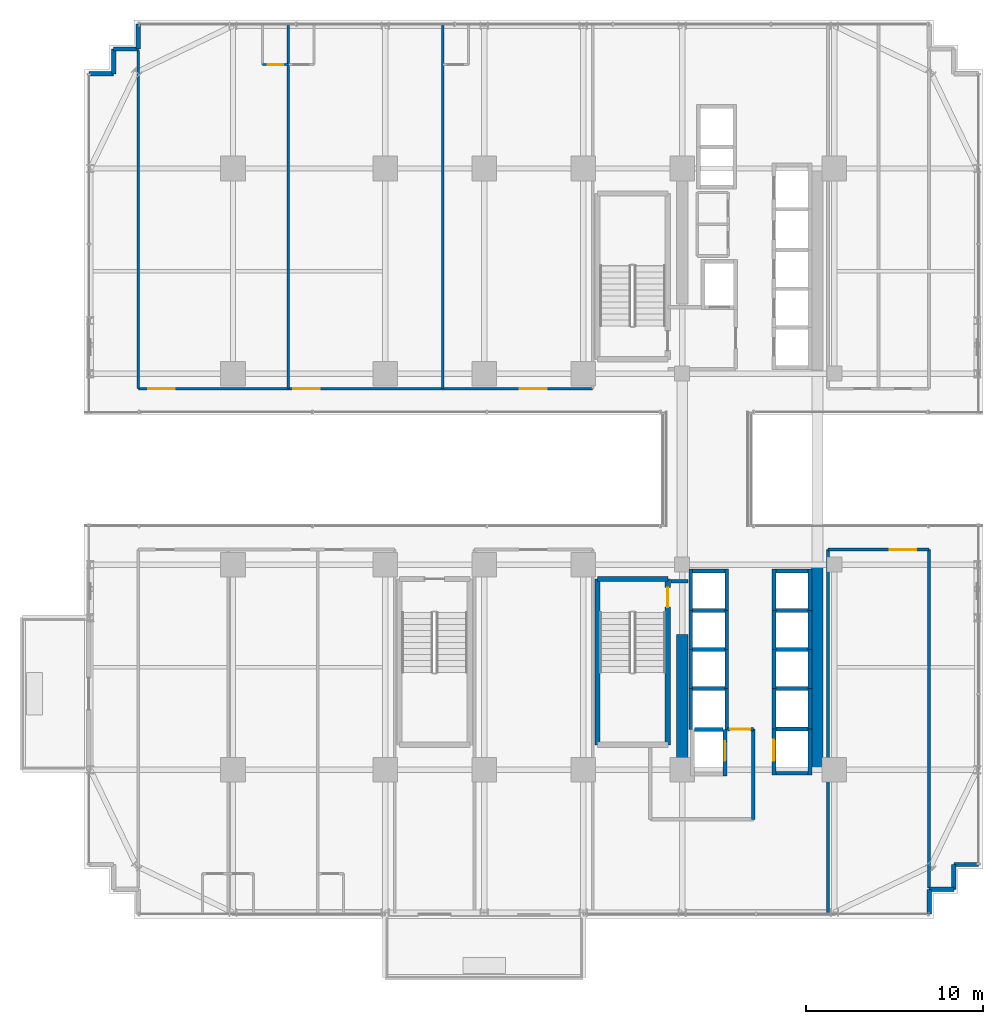
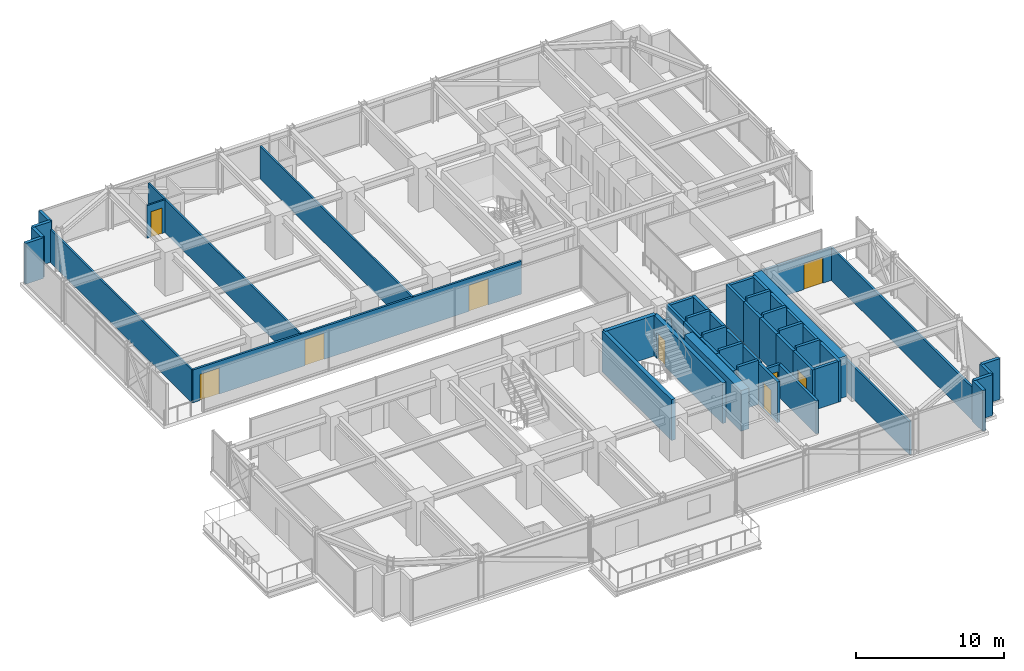
# One storey, part 32 of 38: 54 walls, 9 doors, 9 openings.
"""IFC4 building model written with IfcOpenShell, lengths in metres."""

from ifc_helpers import new_model, si_unit, direction, frame, frame_2d, origin, place, context, subcontext, project, spatial, rectangle, extrude, source, transform, mapped, material, layer, layer_set, type_object, element, fill, save


model = new_model("IFC4")

# Units and contexts
model_context = context("Model", 3, precision=1e-05, world=origin(), true_north=direction((0.0, 1.0)))
body_context = subcontext(model_context, "Body", "Model", "MODEL_VIEW")
ifc_project = project(units=[si_unit("LENGTHUNIT", "METRE"), si_unit("AREAUNIT", "SQUARE_METRE"), si_unit("VOLUMEUNIT", "CUBIC_METRE"), si_unit("PLANEANGLEUNIT", "RADIAN"), si_unit("MASSUNIT", "GRAM", prefix="KILO")], contexts=[model_context])

# Site, building, storey
site_placement = place(None, origin())
site = spatial("IfcSite", under=ifc_project, at=site_placement, CompositionType="ELEMENT")
building_placement = place(site_placement, origin())
building = spatial("IfcBuilding", under=site, at=building_placement, Name="Nahalor Promenade Grand Hotel", CompositionType="ELEMENT")
storey_placement = place(building_placement, frame((0.0, 0.0, 50.64990234375)))
storey = spatial("IfcBuildingStorey", under=building, at=storey_placement, Name="L11", CompositionType="ELEMENT", Elevation=50.64990234375)

# Walls
ifc_material_1 = material(Name="Concrete B-60 (C50/60)", Category="concrete")
ifc_layer_1 = layer(ifc_material_1, 0.64990234375)
ifc_layer_set_1 = layer_set([ifc_layer_1], Name="Concrete B-60 (C50/60)")
wall_type_1 = type_object("IfcWallType", Name="Wall-CoreShear-650", PredefinedType="SHEAR", material=ifc_layer_set_1)
shared_shape_1 = source(origin(), body_context, "Body", "SweptSolid", [
    extrude(rectangle(XDim=7.64990234375, YDim=0.64990234375, at=frame_2d((3.824951171875, 0.0))), origin(), (0.0, 0.0, 1.0), 3.3701171875),
])
wall_1_placement = place(storey_placement, frame((8.39990234375, -17.0, 0.0), z_axis=(0.0, 0.0, 1.0), x_axis=(0.0, 1.0, 0.0)))
element("IfcWall", 1, at=wall_1_placement, inside=storey, type_object=wall_type_1, Name="CWALL-L11-SW", PredefinedType="SHEAR", context=body_context, shape_type="MappedRepresentation", body=[
    mapped(shared_shape_1, transform((0.0, 0.0, 0.0), scale=1.0)),
])
shared_shape_2 = source(origin(), body_context, "Body", "SweptSolid", [
    extrude(rectangle(XDim=11.60009765625, YDim=0.64990234375, at=frame_2d((5.800048828125, 0.0))), origin(), (0.0, 0.0, 1.0), 3.3701171875),
])
wall_2_placement = place(storey_placement, frame((16.050048828125, -17.0, 0.0), z_axis=(0.0, 0.0, 1.0), x_axis=(0.0, 1.0, 0.0)))
element("IfcWall", 2, at=wall_2_placement, inside=storey, type_object=wall_type_1, Name="CWALL-L11-SE", PredefinedType="SHEAR", context=body_context, shape_type="MappedRepresentation", body=[
    mapped(shared_shape_2, transform((0.0, 0.0, 0.0), scale=1.0)),
])
ifc_material_2 = material(Name="Concrete B-50 (C40/50)", Category="concrete")
ifc_layer_2 = layer(ifc_material_2, 0.300048828125)
ifc_layer_set_2 = layer_set([ifc_layer_2], Name="Concrete B-50 (C40/50)")
wall_type_2 = type_object("IfcWallType", Name="Wall-ShaftShear-300", PredefinedType="SHEAR", material=ifc_layer_set_2)
shared_shape_3 = source(origin(), body_context, "Body", "SweptSolid", [
    extrude(rectangle(XDim=3.97998046875, YDim=0.300048828125, at=frame_2d((1.989990234375, 0.0))), origin(), (0.0, 0.0, 1.0), 3.3701171875),
])
wall_3_placement = place(storey_placement, frame((3.610107421875, -6.2099609375, 0.0), z_axis=(0.0, 0.0, 1.0), x_axis=(1.0, 0.0, 0.0)))
element("IfcWall", 3, at=wall_3_placement, inside=storey, type_object=wall_type_2, Name="L11 Exit Stair ST2 Shaft Wall N", PredefinedType="SHEAR", context=body_context, shape_type="MappedRepresentation", body=[
    mapped(shared_shape_3, transform((0.0, 0.0, 0.0), scale=1.0)),
])
shared_shape_4 = source(origin(), body_context, "Body", "SweptSolid", [
    extrude(rectangle(XDim=9.380126953125, YDim=0.300048828125, at=frame_2d((4.68994140625, 0.0))), origin(), (0.0, 0.0, 1.0), 3.3701171875),
])
wall_4_placement = place(storey_placement, frame((3.610107421875, -15.590087890625, 0.0), z_axis=(0.0, 0.0, 1.0), x_axis=(0.0, 1.0, 0.0)))
element("IfcWall", 4, at=wall_4_placement, inside=storey, type_object=wall_type_2, Name="L11 Exit Stair ST2 Shaft Wall W", PredefinedType="SHEAR", context=body_context, shape_type="MappedRepresentation", body=[
    mapped(shared_shape_4, transform((0.0, 0.0, 0.0), scale=1.0)),
])

# Wall, opening, door
wall_5_placement = place(storey_placement, frame((7.590087890625, -15.590087890625, 0.0), z_axis=(0.0, 0.0, 1.0), x_axis=(0.0, 1.0, 0.0)))
wall_5 = element("IfcWall", 5, at=wall_5_placement, inside=storey, type_object=wall_type_2, Name="L11 Exit Stair ST2 Shaft Wall E", PredefinedType="SHEAR", context=body_context, shape_type="MappedRepresentation", body=[
    mapped(shared_shape_4, transform((0.0, 0.0, 0.0), scale=1.0)),
])
opening_1_placement = place(wall_5_placement, frame((7.7900390625, 0.0, 0.0)))
opening_1 = element("IfcOpeningElement", 6, at=opening_1_placement, cuts=wall_5, Name="Opening D-ST1", PredefinedType="OPENING", context=body_context, shape_type="SweptSolid", body=[
    extrude(rectangle(XDim=1.10009765625, YDim=2.14990234375, at=frame_2d((0.550048828125, 1.074951171875))), frame((0.0, 0.159912109375, 0.0), z_axis=(0.0, -1.0, 0.0), x_axis=(1.0, 0.0, 0.0)), (0.0, 0.0, 1.0), 0.320068359375),
])
ifc_material_3 = material(Name="Steel S355JR", Category="steel")
door_type_1 = type_object("IfcDoorType", Name="Door-StairFire-1100", OperationType="NOTDEFINED", PredefinedType="DOOR", material=ifc_material_3)
shared_shape_5 = source(origin(), body_context, "Body", "SweptSolid", [
    extrude(rectangle(XDim=1.10009765625, YDim=2.14990234375, at=frame_2d((0.550048828125, 1.074951171875))), frame((0.0, 0.02490234375, 0.0), z_axis=(0.0, -1.0, 0.0), x_axis=(1.0, 0.0, 0.0)), (0.0, 0.0, 1.0), 0.050048828125),
])
door_1_placement = place(opening_1_placement, origin())
door_1 = element("IfcDoor", 7, at=door_1_placement, inside=storey, type_object=door_type_1, Name="DR-STAIR-ST2-L11", OperationType="SINGLE_SWING_RIGHT", OverallHeight=2.14990234375, OverallWidth=1.10009765625, PredefinedType="DOOR", context=body_context, shape_type="MappedRepresentation", body=[
    mapped(shared_shape_5, transform((0.0, 0.0, 0.0), scale=1.0)),
])
fill(opening_1, door_1)

# Walls
ifc_layer_3 = layer(ifc_material_2, 0.219970703125)
ifc_layer_set_3 = layer_set([ifc_layer_3], Name="Concrete B-50 (C40/50)")
wall_type_3 = type_object("IfcWallType", Name="Wall-LiftShaft-220", PredefinedType="SHEAR", material=ifc_layer_set_3)
shared_shape_6 = source(origin(), body_context, "Body", "SweptSolid", [
    extrude(rectangle(XDim=2.360107421875, YDim=0.219970703125, at=frame_2d((1.18017578125, 0.0))), origin(), (0.0, 0.0, 1.0), 3.3701171875),
])
for number, where, z_axis, x_axis, name in (
    (8, (13.580078125, -8.0, 0.0), (0.0, 0.0, 1.0), (0.0, 1.0, 0.0), "L11 Lift PL5 Hoistway Wall W"),
    (9, (15.6201171875, -8.0, 0.0), (0.0, 0.0, 1.0), (0.0, 1.0, 0.0), "L11 Lift PL5 Hoistway Wall E"),
    (10, (8.8798828125, -8.0, 0.0), (0.0, 0.0, 1.0), (0.0, 1.0, 0.0), "L11 Lift PL9 Hoistway Wall W"),
    (11, (10.919921875, -8.0, 0.0), (0.0, 0.0, 1.0), (0.0, 1.0, 0.0), "L11 Lift PL9 Hoistway Wall E"),
):
    element("IfcWall", number, at=place(storey_placement, frame(where, z_axis=z_axis, x_axis=x_axis)), inside=storey, type_object=wall_type_3, Name=name, PredefinedType="SHEAR", context=body_context, shape_type="MappedRepresentation", body=[
        mapped(shared_shape_6, transform((0.0, 0.0, 0.0), scale=1.0)),
    ])
shared_shape_7 = source(origin(), body_context, "Body", "SweptSolid", [
    extrude(rectangle(XDim=1.820068359375, YDim=0.219970703125, at=frame_2d((0.91015625, 0.0))), origin(), (0.0, 0.0, 1.0), 3.3701171875),
])
for number, where, z_axis, x_axis, name in (
    (12, (13.68994140625, -5.75, 0.0), (0.0, 0.0, 1.0), (1.0, 0.0, 0.0), "L11 Lift PL5 Hoistway Wall N"),
    (13, (8.989990234375, -5.75, 0.0), (0.0, 0.0, 1.0), (1.0, 0.0, 0.0), "L11 Lift PL9 Hoistway Wall N"),
    (14, (13.68994140625, -17.199951171875, 0.0), (0.0, 0.0, 1.0), (1.0, 0.0, 0.0), "L11 Lift SV2 Hoistway Wall S"),
):
    element("IfcWall", number, at=place(storey_placement, frame(where, z_axis=z_axis, x_axis=x_axis)), inside=storey, type_object=wall_type_3, Name=name, PredefinedType="SHEAR", context=body_context, shape_type="MappedRepresentation", body=[
        mapped(shared_shape_7, transform((0.0, 0.0, 0.0), scale=1.0)),
    ])
shared_shape_8 = source(origin(), body_context, "Body", "SweptSolid", [
    extrude(rectangle(XDim=1.820068359375, YDim=0.219970703125, at=frame_2d((0.91015625, 0.0))), origin(), (0.0, 0.0, 1.0), 3.650146484375),
])
for number, where, z_axis, x_axis, name in (
    (15, (13.68994140625, -8.0, 0.0), (0.0, 0.0, 1.0), (1.0, 0.0, 0.0), "L11 Lift PL6 Hoistway Wall N"),
    (16, (13.68994140625, -10.199951171875, 0.0), (0.0, 0.0, 1.0), (1.0, 0.0, 0.0), "L11 Lift PL7 Hoistway Wall N"),
    (17, (13.68994140625, -12.39990234375, 0.0), (0.0, 0.0, 1.0), (1.0, 0.0, 0.0), "L11 Lift PL8 Hoistway Wall N"),
    (18, (8.989990234375, -8.0, 0.0), (0.0, 0.0, 1.0), (1.0, 0.0, 0.0), "L11 Lift PL10 Hoistway Wall N"),
    (19, (8.989990234375, -10.199951171875, 0.0), (0.0, 0.0, 1.0), (1.0, 0.0, 0.0), "L11 Lift PL11 Hoistway Wall N"),
    (20, (8.989990234375, -12.39990234375, 0.0), (0.0, 0.0, 1.0), (1.0, 0.0, 0.0), "L11 Lift PL12 Hoistway Wall N"),
    (21, (13.68994140625, -14.699951171875, 0.0), (0.0, 0.0, 1.0), (1.0, 0.0, 0.0), "L11 Lift SV2 Hoistway Wall N"),
):
    element("IfcWall", number, at=place(storey_placement, frame(where, z_axis=z_axis, x_axis=x_axis)), inside=storey, type_object=wall_type_3, Name=name, PredefinedType="SHEAR", context=body_context, shape_type="MappedRepresentation", body=[
        mapped(shared_shape_8, transform((0.0, 0.0, 0.0), scale=1.0)),
    ])
shared_shape_9 = source(origin(), body_context, "Body", "SweptSolid", [
    extrude(rectangle(XDim=2.199951171875, YDim=0.219970703125, at=frame_2d((1.10009765625, 0.0))), origin(), (0.0, 0.0, 1.0), 3.3701171875),
])
for number, where, z_axis, x_axis, name in (
    (22, (13.580078125, -10.199951171875, 0.0), (0.0, 0.0, 1.0), (0.0, 1.0, 0.0), "L11 Lift PL6 Hoistway Wall W"),
    (23, (15.6201171875, -10.199951171875, 0.0), (0.0, 0.0, 1.0), (0.0, 1.0, 0.0), "L11 Lift PL6 Hoistway Wall E"),
    (24, (13.580078125, -12.39990234375, 0.0), (0.0, 0.0, 1.0), (0.0, 1.0, 0.0), "L11 Lift PL7 Hoistway Wall W"),
    (25, (15.6201171875, -12.39990234375, 0.0), (0.0, 0.0, 1.0), (0.0, 1.0, 0.0), "L11 Lift PL7 Hoistway Wall E"),
    (26, (8.8798828125, -10.199951171875, 0.0), (0.0, 0.0, 1.0), (0.0, 1.0, 0.0), "L11 Lift PL10 Hoistway Wall W"),
    (27, (10.919921875, -10.199951171875, 0.0), (0.0, 0.0, 1.0), (0.0, 1.0, 0.0), "L11 Lift PL10 Hoistway Wall E"),
    (28, (8.8798828125, -12.39990234375, 0.0), (0.0, 0.0, 1.0), (0.0, 1.0, 0.0), "L11 Lift PL11 Hoistway Wall W"),
    (29, (10.919921875, -12.39990234375, 0.0), (0.0, 0.0, 1.0), (0.0, 1.0, 0.0), "L11 Lift PL11 Hoistway Wall E"),
):
    element("IfcWall", number, at=place(storey_placement, frame(where, z_axis=z_axis, x_axis=x_axis)), inside=storey, type_object=wall_type_3, Name=name, PredefinedType="SHEAR", context=body_context, shape_type="MappedRepresentation", body=[
        mapped(shared_shape_9, transform((0.0, 0.0, 0.0), scale=1.0)),
    ])
shared_shape_10 = source(origin(), body_context, "Body", "SweptSolid", [
    extrude(rectangle(XDim=2.300048828125, YDim=0.219970703125, at=frame_2d((1.14990234375, 0.0))), origin(), (0.0, 0.0, 1.0), 3.3701171875),
])
for number, where, z_axis, x_axis, name in (
    (30, (13.580078125, -14.699951171875, 0.0), (0.0, 0.0, 1.0), (0.0, 1.0, 0.0), "L11 Lift PL8 Hoistway Wall W"),
    (31, (15.6201171875, -14.699951171875, 0.0), (0.0, 0.0, 1.0), (0.0, 1.0, 0.0), "L11 Lift PL8 Hoistway Wall E"),
):
    element("IfcWall", number, at=place(storey_placement, frame(where, z_axis=z_axis, x_axis=x_axis)), inside=storey, type_object=wall_type_3, Name=name, PredefinedType="SHEAR", context=body_context, shape_type="MappedRepresentation", body=[
        mapped(shared_shape_10, transform((0.0, 0.0, 0.0), scale=1.0)),
    ])
shared_shape_11 = source(origin(), body_context, "Body", "SweptSolid", [
    extrude(rectangle(XDim=2.3251953125, YDim=0.219970703125, at=frame_2d((1.16259765625, 0.0))), origin(), (0.0, 0.0, 1.0), 3.3701171875),
])
for number, where, z_axis, x_axis, name in (
    (32, (8.8798828125, -14.72509765625, 0.0), (0.0, 0.0, 1.0), (0.0, 1.0, 0.0), "L11 Lift PL12 Hoistway Wall W"),
    (33, (10.919921875, -14.72509765625, 0.0), (0.0, 0.0, 1.0), (0.0, 1.0, 0.0), "L11 Lift PL12 Hoistway Wall E"),
):
    element("IfcWall", number, at=place(storey_placement, frame(where, z_axis=z_axis, x_axis=x_axis)), inside=storey, type_object=wall_type_3, Name=name, PredefinedType="SHEAR", context=body_context, shape_type="MappedRepresentation", body=[
        mapped(shared_shape_11, transform((0.0, 0.0, 0.0), scale=1.0)),
    ])

# Wall, opening, door
shared_shape_12 = source(origin(), body_context, "Body", "SweptSolid", [
    extrude(rectangle(XDim=2.635009765625, YDim=0.219970703125, at=frame_2d((1.3173828125, 0.0))), origin(), (0.0, 0.0, 1.0), 3.3701171875),
])
wall_6_placement = place(storey_placement, frame((10.820068359375, -17.360107421875, 0.0), z_axis=(0.0, 0.0, 1.0), x_axis=(0.0, 1.0, 0.0)))
wall_6 = element("IfcWall", 34, at=wall_6_placement, inside=storey, type_object=wall_type_3, Name="L11 Lift FL2 Hoistway Wall E", PredefinedType="SHEAR", context=body_context, shape_type="MappedRepresentation", body=[
    mapped(shared_shape_12, transform((0.0, 0.0, 0.0), scale=1.0)),
])
opening_2_placement = place(wall_6_placement, frame((0.860107421875, 0.0, 0.0)))
opening_2 = element("IfcOpeningElement", 35, at=opening_2_placement, cuts=wall_6, Name="Opening LD-02", PredefinedType="OPENING", context=body_context, shape_type="SweptSolid", body=[
    extrude(rectangle(XDim=1.10009765625, YDim=2.199951171875, at=frame_2d((0.550048828125, 1.10009765625))), frame((0.0, 0.119873046875, 0.0), z_axis=(0.0, -1.0, 0.0), x_axis=(1.0, 0.0, 0.0)), (0.0, 0.0, 1.0), 0.239990234375),
])
door_type_2 = type_object("IfcDoorType", Name="Door-LiftFF-1100", OperationType="DOUBLE_DOOR_SLIDING", PredefinedType="DOOR", material=ifc_material_3)
shared_shape_13 = source(origin(), body_context, "Body", "SweptSolid", [
    extrude(rectangle(XDim=1.10009765625, YDim=2.199951171875, at=frame_2d((0.550048828125, 1.10009765625))), frame((0.0, 0.02490234375, 0.0), z_axis=(0.0, -1.0, 0.0), x_axis=(1.0, 0.0, 0.0)), (0.0, 0.0, 1.0), 0.050048828125),
])
door_2_placement = place(opening_2_placement, frame((1.10009765625, 0.0, 0.0), z_axis=(0.0, 0.0, 1.0), x_axis=(-1.0, 0.0, 0.0)))
door_2 = element("IfcDoor", 36, at=door_2_placement, inside=storey, type_object=door_type_2, Name="DR-LIFT-FL2-L11", OperationType="DOUBLE_DOOR_SLIDING", OverallHeight=2.199951171875, OverallWidth=1.10009765625, PredefinedType="DOOR", context=body_context, shape_type="MappedRepresentation", body=[
    mapped(shared_shape_13, transform((0.0, 0.0, 0.0), scale=1.0)),
])
fill(opening_2, door_2)

# Wall
shared_shape_14 = source(origin(), body_context, "Body", "SweptSolid", [
    extrude(rectangle(XDim=1.619873046875, YDim=0.219970703125, at=frame_2d((0.81005859375, 0.0))), origin(), (0.0, 0.0, 1.0), 3.650146484375),
])
wall_7_placement = place(storey_placement, frame((9.090087890625, -14.72509765625, 0.0), z_axis=(0.0, 0.0, 1.0), x_axis=(1.0, 0.0, 0.0)))
element("IfcWall", 37, at=wall_7_placement, inside=storey, type_object=wall_type_3, Name="L11 Lift FL2 Hoistway Wall N", PredefinedType="SHEAR", context=body_context, shape_type="MappedRepresentation", body=[
    mapped(shared_shape_14, transform((0.0, 0.0, 0.0), scale=1.0)),
])

# Wall, opening, door
shared_shape_15 = source(origin(), body_context, "Body", "SweptSolid", [
    extrude(rectangle(XDim=2.610107421875, YDim=0.219970703125, at=frame_2d((1.30517578125, 0.0))), origin(), (0.0, 0.0, 1.0), 3.3701171875),
])
wall_8_placement = place(storey_placement, frame((13.580078125, -17.31005859375, 0.0), z_axis=(0.0, 0.0, 1.0), x_axis=(0.0, 1.0, 0.0)))
wall_8 = element("IfcWall", 38, at=wall_8_placement, inside=storey, type_object=wall_type_3, Name="L11 Lift SV2 Hoistway Wall W", PredefinedType="SHEAR", context=body_context, shape_type="MappedRepresentation", body=[
    mapped(shared_shape_15, transform((0.0, 0.0, 0.0), scale=1.0)),
])
opening_3_placement = place(wall_8_placement, frame((0.81005859375, 0.0, 0.0)))
opening_3 = element("IfcOpeningElement", 39, at=opening_3_placement, cuts=wall_8, Name="Opening LD-03", PredefinedType="OPENING", context=body_context, shape_type="SweptSolid", body=[
    extrude(rectangle(XDim=1.199951171875, YDim=2.199951171875, at=frame_2d((0.60009765625, 1.10009765625))), frame((0.0, 0.119873046875, 0.0), z_axis=(0.0, -1.0, 0.0), x_axis=(1.0, 0.0, 0.0)), (0.0, 0.0, 1.0), 0.239990234375),
])
door_type_3 = type_object("IfcDoorType", Name="Door-LiftService-1200", OperationType="DOUBLE_DOOR_SLIDING", PredefinedType="DOOR", material=ifc_material_3)
shared_shape_16 = source(origin(), body_context, "Body", "SweptSolid", [
    extrude(rectangle(XDim=1.199951171875, YDim=2.199951171875, at=frame_2d((0.60009765625, 1.10009765625))), frame((0.0, 0.02490234375, 0.0), z_axis=(0.0, -1.0, 0.0), x_axis=(1.0, 0.0, 0.0)), (0.0, 0.0, 1.0), 0.050048828125),
])
door_3_placement = place(opening_3_placement, origin())
door_3 = element("IfcDoor", 40, at=door_3_placement, inside=storey, type_object=door_type_3, Name="DR-LIFT-SV2-L11", OperationType="DOUBLE_DOOR_SLIDING", OverallHeight=2.199951171875, OverallWidth=1.199951171875, PredefinedType="DOOR", context=body_context, shape_type="MappedRepresentation", body=[
    mapped(shared_shape_16, transform((0.0, 0.0, 0.0), scale=1.0)),
])
fill(opening_3, door_3)

# Walls
wall_9_placement = place(storey_placement, frame((15.6201171875, -17.31005859375, 0.0), z_axis=(0.0, 0.0, 1.0), x_axis=(0.0, 1.0, 0.0)))
element("IfcWall", 41, at=wall_9_placement, inside=storey, type_object=wall_type_3, Name="L11 Lift SV2 Hoistway Wall E", PredefinedType="SHEAR", context=body_context, shape_type="MappedRepresentation", body=[
    mapped(shared_shape_15, transform((0.0, 0.0, 0.0), scale=1.0)),
])
ifc_material_4 = material(Name="Concrete B-40 (C32/40)", Category="concrete")
ifc_layer_4 = layer(ifc_material_4, 0.25)
ifc_layer_set_4 = layer_set([ifc_layer_4], Name="Concrete B-40 (C32/40)")
wall_type_4 = type_object("IfcWallType", Name="Wall-BronzePier-250", PredefinedType="STANDARD", material=ifc_layer_set_4)
shared_shape_17 = source(origin(), body_context, "Body", "SweptSolid", [
    extrude(rectangle(XDim=1.39990234375, YDim=0.25, at=frame_2d((0.699951171875, 0.0))), origin(), (0.0, 0.0, 1.0), 3.3701171875),
])
for number, where, z_axis, x_axis, name in (
    (42, (22.360107421875, -25.159912109375, 0.0), (0.0, 0.0, 1.0), (0.0, 1.0, 0.0), "W-L11-SR-01"),
    (43, (22.360107421875, -23.760009765625, 0.0), (0.0, 0.0, 1.0), (1.0, 0.0, 0.0), "W-L11-SR-02"),
    (44, (23.760009765625, -23.760009765625, 0.0), (0.0, 0.0, 1.0), (0.0, 1.0, 0.0), "W-L11-SR-03"),
    (45, (23.760009765625, -22.360107421875, 0.0), (0.0, 0.0, 1.0), (1.0, 0.0, 0.0), "W-L11-SR-04"),
    (46, (-22.360107421875, 23.760009765625, 0.0), (0.0, 0.0, 1.0), (0.0, 1.0, 0.0), "W-L11-SR-09"),
    (47, (-23.760009765625, 23.760009765625, 0.0), (0.0, 0.0, 1.0), (1.0, 0.0, 0.0), "W-L11-SR-10"),
    (48, (-23.760009765625, 22.360107421875, 0.0), (0.0, 0.0, 1.0), (0.0, 1.0, 0.0), "W-L11-SR-11"),
    (49, (-25.159912109375, 22.360107421875, 0.0), (0.0, 0.0, 1.0), (1.0, 0.0, 0.0), "W-L11-SR-12"),
):
    element("IfcWall", number, at=place(storey_placement, frame(where, z_axis=z_axis, x_axis=x_axis)), inside=storey, type_object=wall_type_4, Name=name, PredefinedType="STANDARD", context=body_context, shape_type="MappedRepresentation", body=[
        mapped(shared_shape_17, transform((0.0, 0.0, 0.0), scale=1.0)),
    ])
ifc_layer_5 = layer(ifc_material_4, 0.199951171875)
ifc_layer_set_5 = layer_set([ifc_layer_5], Name="Concrete B-40 (C32/40)")
wall_type_5 = type_object("IfcWallType", Name="Wall-PartFire-200", PredefinedType="PARTITIONING", material=ifc_layer_set_5)
shared_shape_18 = source(origin(), body_context, "Body", "SweptSolid", [
    extrude(rectangle(XDim=5.10009765625, YDim=0.199951171875, at=frame_2d((2.550048828125, 0.0))), origin(), (0.0, 0.0, 1.0), 2.710205078125),
])
wall_10_placement = place(storey_placement, frame((12.419921875, -19.800048828125, 0.0), z_axis=(0.0, 0.0, 1.0), x_axis=(0.0, 1.0, 0.0)))
element("IfcWall", 50, at=wall_10_placement, inside=storey, type_object=wall_type_5, Name="W-L11-FF2-E", PredefinedType="PARTITIONING", context=body_context, shape_type="MappedRepresentation", body=[
    mapped(shared_shape_18, transform((0.0, 0.0, 0.0), scale=1.0)),
])

# Wall, opening, door
shared_shape_19 = source(origin(), body_context, "Body", "SweptSolid", [
    extrude(rectangle(XDim=1.4599609375, YDim=0.199951171875, at=frame_2d((0.72998046875, 0.0))), origin(), (0.0, 0.0, 1.0), 2.710205078125),
])
wall_11_placement = place(storey_placement, frame((10.9599609375, -14.699951171875, 0.0), z_axis=(0.0, 0.0, 1.0), x_axis=(1.0, 0.0, 0.0)))
wall_11 = element("IfcWall", 51, at=wall_11_placement, inside=storey, type_object=wall_type_5, Name="W-L11-FF2-N1", PredefinedType="PARTITIONING", context=body_context, shape_type="MappedRepresentation", body=[
    mapped(shared_shape_19, transform((0.0, 0.0, 0.0), scale=1.0)),
])
opening_4_placement = place(wall_11_placement, frame((0.14501953125, 0.0, 0.0)))
opening_4 = element("IfcOpeningElement", 52, at=opening_4_placement, cuts=wall_11, Name="Opening D-FF1", PredefinedType="OPENING", context=body_context, shape_type="SweptSolid", body=[
    extrude(rectangle(XDim=1.14990234375, YDim=2.14990234375, at=frame_2d((0.574951171875, 1.074951171875))), frame((0.0, 0.10986328125, 0.0), z_axis=(0.0, -1.0, 0.0), x_axis=(1.0, 0.0, 0.0)), (0.0, 0.0, 1.0), 0.219970703125),
])
door_type_4 = type_object("IfcDoorType", Name="Door-FFLobby-1150", OperationType="NOTDEFINED", PredefinedType="DOOR", material=ifc_material_3)
shared_shape_20 = source(origin(), body_context, "Body", "SweptSolid", [
    extrude(rectangle(XDim=1.14990234375, YDim=2.14990234375, at=frame_2d((0.574951171875, 1.074951171875))), frame((0.0, 0.02490234375, 0.0), z_axis=(0.0, -1.0, 0.0), x_axis=(1.0, 0.0, 0.0)), (0.0, 0.0, 1.0), 0.050048828125),
])
door_4_placement = place(opening_4_placement, origin())
door_4 = element("IfcDoor", 53, at=door_4_placement, inside=storey, type_object=door_type_4, Name="DR-L11-FFL2", OperationType="SINGLE_SWING_LEFT", OverallHeight=2.14990234375, OverallWidth=1.14990234375, PredefinedType="DOOR", context=body_context, shape_type="MappedRepresentation", body=[
    mapped(shared_shape_20, transform((0.0, 0.0, 0.0), scale=1.0)),
])
fill(opening_4, door_4)

# Wall
shared_shape_21 = source(origin(), body_context, "Body", "SweptSolid", [
    extrude(rectangle(XDim=0.969970703125, YDim=0.199951171875, at=frame_2d((0.48486328125, 0.0))), origin(), (0.0, 0.0, 1.0), 2.710205078125),
])
wall_12_placement = place(storey_placement, frame((7.77001953125, -6.35009765625, 0.0), z_axis=(0.0, 0.0, 1.0), x_axis=(1.0, 0.0, 0.0)))
element("IfcWall", 54, at=wall_12_placement, inside=storey, type_object=wall_type_5, Name="W-L11-FF2-N2", PredefinedType="PARTITIONING", context=body_context, shape_type="MappedRepresentation", body=[
    mapped(shared_shape_21, transform((0.0, 0.0, 0.0), scale=1.0)),
])

# Wall, opening, door
ifc_material_5 = material(Name="Acoustic Mineral Gypsum", Category="gypsum")
ifc_layer_6 = layer(ifc_material_5, 0.159912109375)
ifc_layer_set_6 = layer_set([ifc_layer_6], Name="Acoustic Mineral Gypsum")
wall_type_6 = type_object("IfcWallType", Name="Wall-PartCorridor-160", PredefinedType="PARTITIONING", material=ifc_layer_set_6)
shared_shape_22 = source(origin(), body_context, "Body", "SweptSolid", [
    extrude(rectangle(XDim=5.710205078125, YDim=0.159912109375, at=frame_2d((2.85498046875, 0.0))), origin(), (0.0, 0.0, 1.0), 2.710205078125),
])
wall_13_placement = place(storey_placement, frame((16.64990234375, -4.550048828125, 0.0), z_axis=(0.0, 0.0, 1.0), x_axis=(1.0, 0.0, 0.0)))
wall_13 = element("IfcWall", 55, at=wall_13_placement, inside=storey, type_object=wall_type_6, Name="W-L11-ESE-N", PredefinedType="PARTITIONING", context=body_context, shape_type="MappedRepresentation", body=[
    mapped(shared_shape_22, transform((0.0, 0.0, 0.0), scale=1.0)),
])
opening_5_placement = place(wall_13_placement, frame((3.47900390625, 0.0, 0.0)))
opening_5 = element("IfcOpeningElement", 56, at=opening_5_placement, cuts=wall_13, Name="Opening D-02", PredefinedType="OPENING", context=body_context, shape_type="SweptSolid", body=[
    extrude(rectangle(XDim=1.5, YDim=2.14990234375, at=frame_2d((0.75, 1.074951171875))), frame((0.0, 0.08984375, 0.0), z_axis=(0.0, -1.0, 0.0), x_axis=(1.0, 0.0, 0.0)), (0.0, 0.0, 1.0), 0.179931640625),
])
ifc_material_6 = material(Name="Fire-Rated Timber Composite", Category="wood")
door_type_5 = type_object("IfcDoorType", Name="Door-SuiteDouble-1500", OperationType="DOUBLE_DOOR_SINGLE_SWING", PredefinedType="DOOR", material=ifc_material_6)
shared_shape_23 = source(origin(), body_context, "Body", "SweptSolid", [
    extrude(rectangle(XDim=1.5, YDim=2.14990234375, at=frame_2d((0.75, 1.074951171875))), frame((0.0, 0.02490234375, 0.0), z_axis=(0.0, -1.0, 0.0), x_axis=(1.0, 0.0, 0.0)), (0.0, 0.0, 1.0), 0.050048828125),
])
door_5_placement = place(opening_5_placement, frame((1.5, 0.0, 0.0), z_axis=(0.0, 0.0, 1.0), x_axis=(-1.0, 0.0, 0.0)))
door_5 = element("IfcDoor", 57, at=door_5_placement, inside=storey, type_object=door_type_5, Name="DR-L11-ESE", OperationType="DOUBLE_DOOR_SINGLE_SWING", OverallHeight=2.14990234375, OverallWidth=1.5, PredefinedType="DOOR", context=body_context, shape_type="MappedRepresentation", body=[
    mapped(shared_shape_23, transform((0.0, 0.0, 0.0), scale=1.0)),
])
fill(opening_5, door_5)

# Walls
shared_shape_24 = source(origin(), body_context, "Body", "SweptSolid", [
    extrude(rectangle(XDim=20.550048828125, YDim=0.159912109375, at=frame_2d((10.27490234375, 0.0))), origin(), (0.0, 0.0, 1.0), 2.710205078125),
])
wall_14_placement = place(storey_placement, frame((16.64990234375, -25.10009765625, 0.0), z_axis=(0.0, 0.0, 1.0), x_axis=(0.0, 1.0, 0.0)))
element("IfcWall", 58, at=wall_14_placement, inside=storey, type_object=wall_type_6, Name="W-L11-ESE-W", PredefinedType="PARTITIONING", context=body_context, shape_type="MappedRepresentation", body=[
    mapped(shared_shape_24, transform((0.0, 0.0, 0.0), scale=1.0)),
])
shared_shape_25 = source(origin(), body_context, "Body", "SweptSolid", [
    extrude(rectangle(XDim=19.1298828125, YDim=0.159912109375, at=frame_2d((9.56494140625, 0.0))), origin(), (0.0, 0.0, 1.0), 2.710205078125),
])
wall_15_placement = place(storey_placement, frame((22.360107421875, -23.679931640625, 0.0), z_axis=(0.0, 0.0, 1.0), x_axis=(0.0, 1.0, 0.0)))
element("IfcWall", 59, at=wall_15_placement, inside=storey, type_object=wall_type_6, Name="W-L11-ESE-E", PredefinedType="PARTITIONING", context=body_context, shape_type="MappedRepresentation", body=[
    mapped(shared_shape_25, transform((0.0, 0.0, 0.0), scale=1.0)),
])

# Wall, openings, doors
shared_shape_26 = source(origin(), body_context, "Body", "SweptSolid", [
    extrude(rectangle(XDim=25.7001953125, YDim=0.159912109375, at=frame_2d((12.85009765625, 0.0))), origin(), (0.0, 0.0, 1.0), 2.710205078125),
])
wall_16_placement = place(storey_placement, frame((-22.360107421875, 4.550048828125, 0.0), z_axis=(0.0, 0.0, 1.0), x_axis=(1.0, 0.0, 0.0)))
wall_16 = element("IfcWall", 60, at=wall_16_placement, inside=storey, type_object=wall_type_6, Name="W-L11-CORR-N", PredefinedType="PARTITIONING", context=body_context, shape_type="MappedRepresentation", body=[
    mapped(shared_shape_26, transform((0.0, 0.0, 0.0), scale=1.0)),
])
opening_6_placement = place(wall_16_placement, frame((0.568115234375, 0.0, 0.0)))
opening_6 = element("IfcOpeningElement", 61, at=opening_6_placement, cuts=wall_16, Name="Opening D-02", PredefinedType="OPENING", context=body_context, shape_type="SweptSolid", body=[
    extrude(rectangle(XDim=1.5, YDim=2.14990234375, at=frame_2d((0.75, 1.074951171875))), frame((0.0, 0.08984375, 0.0), z_axis=(0.0, -1.0, 0.0), x_axis=(1.0, 0.0, 0.0)), (0.0, 0.0, 1.0), 0.179931640625),
])
opening_7_placement = place(wall_16_placement, frame((8.762939453125, 0.0, 0.0)))
opening_7 = element("IfcOpeningElement", 62, at=opening_7_placement, cuts=wall_16, Name="Opening D-02", PredefinedType="OPENING", context=body_context, shape_type="SweptSolid", body=[
    extrude(rectangle(XDim=1.5, YDim=2.14990234375, at=frame_2d((0.75, 1.074951171875))), frame((0.0, 0.08984375, 0.0), z_axis=(0.0, -1.0, 0.0), x_axis=(1.0, 0.0, 0.0)), (0.0, 0.0, 1.0), 0.179931640625),
])
opening_8_placement = place(wall_16_placement, frame((21.5859375, 0.0, 0.0)))
opening_8 = element("IfcOpeningElement", 63, at=opening_8_placement, cuts=wall_16, Name="Opening D-02", PredefinedType="OPENING", context=body_context, shape_type="SweptSolid", body=[
    extrude(rectangle(XDim=1.5, YDim=2.14990234375, at=frame_2d((0.75, 1.074951171875))), frame((0.0, 0.08984375, 0.0), z_axis=(0.0, -1.0, 0.0), x_axis=(1.0, 0.0, 0.0)), (0.0, 0.0, 1.0), 0.179931640625),
])
door_6_placement = place(opening_6_placement, origin())
door_6 = element("IfcDoor", 64, at=door_6_placement, inside=storey, type_object=door_type_5, Name="DR-L11-N1-ENT", OperationType="DOUBLE_DOOR_SINGLE_SWING", OverallHeight=2.14990234375, OverallWidth=1.5, PredefinedType="DOOR", context=body_context, shape_type="MappedRepresentation", body=[
    mapped(shared_shape_23, transform((0.0, 0.0, 0.0), scale=1.0)),
])
fill(opening_6, door_6)
door_7_placement = place(opening_7_placement, origin())
door_7 = element("IfcDoor", 65, at=door_7_placement, inside=storey, type_object=door_type_5, Name="DR-L11-N2-ENT", OperationType="DOUBLE_DOOR_SINGLE_SWING", OverallHeight=2.14990234375, OverallWidth=1.5, PredefinedType="DOOR", context=body_context, shape_type="MappedRepresentation", body=[
    mapped(shared_shape_23, transform((0.0, 0.0, 0.0), scale=1.0)),
])
fill(opening_7, door_7)
door_8_placement = place(opening_8_placement, origin())
door_8 = element("IfcDoor", 66, at=door_8_placement, inside=storey, type_object=door_type_5, Name="DR-L11-N3-ENT", OperationType="DOUBLE_DOOR_SINGLE_SWING", OverallHeight=2.14990234375, OverallWidth=1.5, PredefinedType="DOOR", context=body_context, shape_type="MappedRepresentation", body=[
    mapped(shared_shape_23, transform((0.0, 0.0, 0.0), scale=1.0)),
])
fill(opening_8, door_8)

# Walls
ifc_layer_7 = layer(ifc_material_5, 0.139892578125)
ifc_layer_set_7 = layer_set([ifc_layer_7], Name="Acoustic Mineral Gypsum")
wall_type_7 = type_object("IfcWallType", Name="Wall-PartSuite-140", PredefinedType="PARTITIONING", material=ifc_layer_set_7)
shared_shape_27 = source(origin(), body_context, "Body", "SweptSolid", [
    extrude(rectangle(XDim=19.1298828125, YDim=0.139892578125, at=frame_2d((9.56494140625, 0.0))), origin(), (0.0, 0.0, 1.0), 2.710205078125),
])
wall_17_placement = place(storey_placement, frame((-22.360107421875, 4.550048828125, 0.0), z_axis=(0.0, 0.0, 1.0), x_axis=(0.0, 1.0, 0.0)))
element("IfcWall", 67, at=wall_17_placement, inside=storey, type_object=wall_type_7, Name="W-L11-NW-ENDW", PredefinedType="PARTITIONING", context=body_context, shape_type="MappedRepresentation", body=[
    mapped(shared_shape_27, transform((0.0, 0.0, 0.0), scale=1.0)),
])
shared_shape_28 = source(origin(), body_context, "Body", "SweptSolid", [
    extrude(rectangle(XDim=20.550048828125, YDim=0.139892578125, at=frame_2d((10.27490234375, 0.0))), origin(), (0.0, 0.0, 1.0), 2.710205078125),
])
for number, where, z_axis, x_axis, name in (
    (68, (-13.87890625, 4.550048828125, 0.0), (0.0, 0.0, 1.0), (0.0, 1.0, 0.0), "W-L11-NP-1"),
    (69, (-5.14111328125, 4.550048828125, 0.0), (0.0, 0.0, 1.0), (0.0, 1.0, 0.0), "W-L11-NP-2"),
):
    element("IfcWall", number, at=place(storey_placement, frame(where, z_axis=z_axis, x_axis=x_axis)), inside=storey, type_object=wall_type_7, Name=name, PredefinedType="PARTITIONING", context=body_context, shape_type="MappedRepresentation", body=[
        mapped(shared_shape_28, transform((0.0, 0.0, 0.0), scale=1.0)),
    ])

# Wall, opening, door
ifc_layer_8 = layer(ifc_material_5, 0.1201171875)
ifc_layer_set_8 = layer_set([ifc_layer_8], Name="Acoustic Mineral Gypsum")
wall_type_8 = type_object("IfcWallType", Name="Wall-PartBath-120", PredefinedType="PARTITIONING", material=ifc_layer_set_8)
shared_shape_29 = source(origin(), body_context, "Body", "SweptSolid", [
    extrude(rectangle(XDim=1.4501953125, YDim=0.1201171875, at=frame_2d((0.72509765625, 0.0))), origin(), (0.0, 0.0, 1.0), 2.710205078125),
])
wall_18_placement = place(storey_placement, frame((-15.3291015625, 22.8798828125, 0.0), z_axis=(0.0, 0.0, 1.0), x_axis=(1.0, 0.0, 0.0)))
wall_18 = element("IfcWall", 70, at=wall_18_placement, inside=storey, type_object=wall_type_8, Name="W-L11-N1-BH", PredefinedType="PARTITIONING", context=body_context, shape_type="MappedRepresentation", body=[
    mapped(shared_shape_29, transform((0.0, 0.0, 0.0), scale=1.0)),
])
opening_9_placement = place(wall_18_placement, frame((0.284912109375, 0.0, 0.0)))
opening_9 = element("IfcOpeningElement", 71, at=opening_9_placement, cuts=wall_18, Name="Opening D-03", PredefinedType="OPENING", context=body_context, shape_type="SweptSolid", body=[
    extrude(rectangle(XDim=0.8798828125, YDim=2.10009765625, at=frame_2d((0.43994140625, 1.050048828125))), frame((0.0, 0.070068359375, 0.0), z_axis=(0.0, -1.0, 0.0), x_axis=(1.0, 0.0, 0.0)), (0.0, 0.0, 1.0), 0.14013671875),
])
door_type_6 = type_object("IfcDoorType", Name="Door-BathSwing-880", OperationType="NOTDEFINED", PredefinedType="DOOR", material=ifc_material_6)
shared_shape_30 = source(origin(), body_context, "Body", "SweptSolid", [
    extrude(rectangle(XDim=0.8798828125, YDim=2.10009765625, at=frame_2d((0.43994140625, 1.050048828125))), frame((0.0, 0.02490234375, 0.0), z_axis=(0.0, -1.0, 0.0), x_axis=(1.0, 0.0, 0.0)), (0.0, 0.0, 1.0), 0.050048828125),
])
door_9_placement = place(opening_9_placement, origin())
door_9 = element("IfcDoor", 72, at=door_9_placement, inside=storey, type_object=door_type_6, Name="DR-L11-N1-BATH", OperationType="SINGLE_SWING_RIGHT", OverallHeight=2.10009765625, OverallWidth=0.8798828125, PredefinedType="DOOR", context=body_context, shape_type="MappedRepresentation", body=[
    mapped(shared_shape_30, transform((0.0, 0.0, 0.0), scale=1.0)),
])
fill(opening_9, door_9)

save(model, "model.ifc")
